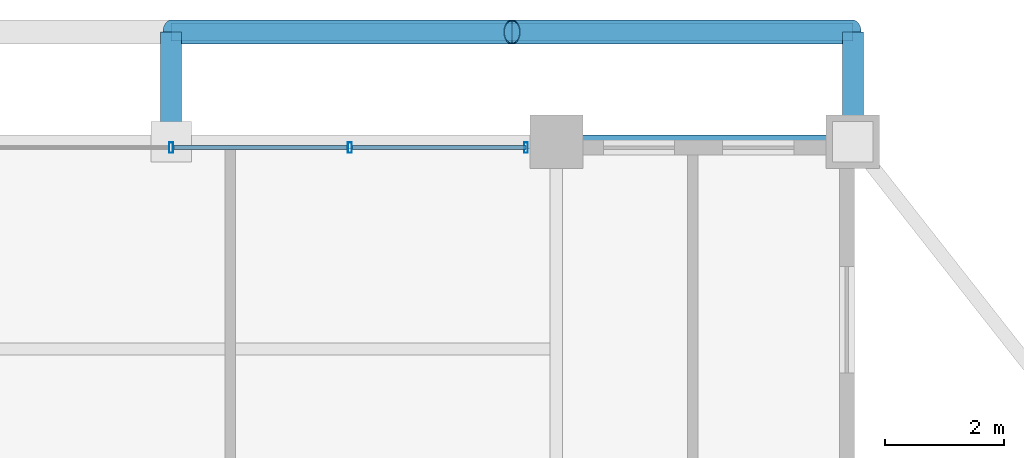
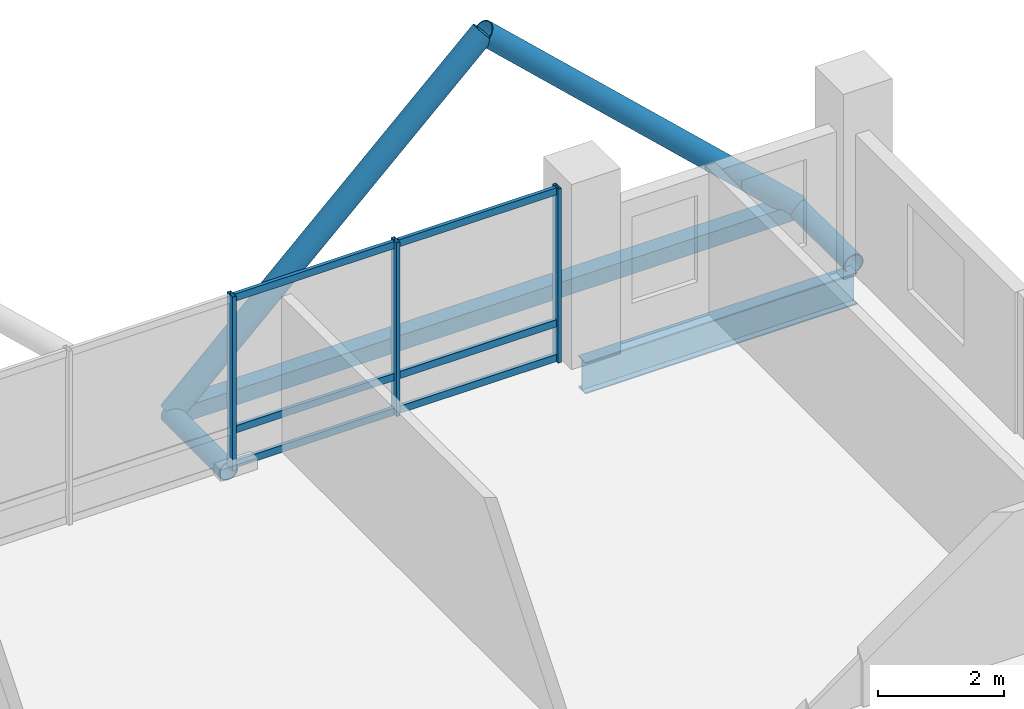
# One storey, part 17 of 24: 14 members, 1 beam, 1 element without a shape of its own.
"""IFC4 building model written with IfcOpenShell, lengths in metres."""

from ifc_helpers import new_model, si_unit, direction, frame, origin, origin_2d, place, context, subcontext, project, spatial, hollow_rectangle, hollow_circle, i_section, extrude, material, layer, layer_set, material_profile, profile_set, type_object, element, aggregate, save


model = new_model("IFC4")

# Units and contexts
model_context = context("Model", 3, precision=1e-05, world=origin(), true_north=direction((0.0, 1.0)))
body_context = subcontext(model_context, "Body", "Model", "MODEL_VIEW")
ifc_project = project(units=[si_unit("LENGTHUNIT", "METRE"), si_unit("AREAUNIT", "SQUARE_METRE"), si_unit("VOLUMEUNIT", "CUBIC_METRE"), si_unit("PLANEANGLEUNIT", "RADIAN"), si_unit("MASSUNIT", "GRAM", prefix="KILO")], contexts=[model_context])

# Site, building, storey
site_placement = place(None, origin())
site = spatial("IfcSite", under=ifc_project, at=site_placement, CompositionType="ELEMENT")
building_placement = place(site_placement, origin())
building = spatial("IfcBuilding", under=site, at=building_placement, Name="Barlavira Tower and Art Museum", CompositionType="ELEMENT")
storey_placement = place(building_placement, frame((0.0, 0.0, 272.699951171875)))
storey = spatial("IfcBuildingStorey", under=building, at=storey_placement, Name="L71", CompositionType="ELEMENT", Elevation=272.699951171875)

# Curtain wall, members
ifc_material_1 = material(Name="Low-iron coastal laminated glass", Category="glass")
ifc_layer = layer(ifc_material_1, 0.2099609375, Name="Low-iron coastal laminated glass")
ifc_layer_set = layer_set([ifc_layer], Name="Low-iron coastal laminated glass")
curtain_wall_type = type_object("IfcCurtainWallType", Name="Pale-Metal Unitised Curtain Wall Zone 4", PredefinedType="NOTDEFINED", material=ifc_layer_set)
curtain_wall_placement = place(storey_placement, origin())
curtain_wall = element("IfcCurtainWall", 1, at=curtain_wall_placement, inside=storey, type_object=curtain_wall_type, Name="L71 Curtain Wall CW4-L71-N-B2", PredefinedType="NOTDEFINED")
ifc_material_2 = material(Name="Pale anodised aluminium", Category="aluminium")
ifc_material_profile_1 = material_profile(ifc_material_2, hollow_rectangle(XDim=0.06494140625, YDim=0.179931640625, WallThickness=0.00390625, at=origin_2d()), Name="ALU-MULL 65x180x4")
ifc_profile_set_1 = profile_set([ifc_material_profile_1], Name="Pale anodised aluminium")
member_type_1 = type_object("IfcMemberType", Name="Curtain Wall Pale-Metal Mullion 65x180", PredefinedType="MULLION", material=ifc_profile_set_1)
member_1_placement = place(storey_placement, frame((5.985107421875, 19.89990234375, 0.0), z_axis=(0.0, 0.0, 1.0), x_axis=(-1.0, 0.0, 0.0)))
member_1 = element("IfcMember", 2, at=member_1_placement, type_object=member_type_1, Name="CW4-L71-N-B2 Mullion 0", PredefinedType="MULLION", context=body_context, shape_type="SweptSolid", body=[
    extrude(hollow_rectangle(XDim=0.06494140625, YDim=0.179931640625, WallThickness=0.00390625, at=origin_2d()), origin(), (0.0, 0.0, 1.0), 3.380126953125),
])
member_2_placement = place(storey_placement, frame((3.014892578125, 19.89990234375, 0.0), z_axis=(0.0, 0.0, 1.0), x_axis=(-1.0, 0.0, 0.0)))
member_2 = element("IfcMember", 3, at=member_2_placement, type_object=member_type_1, Name="CW4-L71-N-B2 Mullion 1", PredefinedType="MULLION", context=body_context, shape_type="SweptSolid", body=[
    extrude(hollow_rectangle(XDim=0.06494140625, YDim=0.179931640625, WallThickness=0.00390625, at=origin_2d()), origin(), (0.0, 0.0, 1.0), 3.380126953125),
])
member_3_placement = place(storey_placement, frame((0.0, 19.89990234375, 0.0), z_axis=(0.0, 0.0, 1.0), x_axis=(-1.0, 0.0, 0.0)))
member_3 = element("IfcMember", 4, at=member_3_placement, type_object=member_type_1, Name="CW4-L71-N-B2 Mullion 2", PredefinedType="MULLION", context=body_context, shape_type="SweptSolid", body=[
    extrude(hollow_rectangle(XDim=0.06494140625, YDim=0.179931640625, WallThickness=0.00390625, at=origin_2d()), origin(), (0.0, 0.0, 1.0), 3.380126953125),
])
ifc_material_profile_2 = material_profile(ifc_material_2, hollow_rectangle(XDim=0.06494140625, YDim=0.139892578125, WallThickness=0.00390625, at=origin_2d()), Name="ALU-TRAN 65x140x4")
ifc_profile_set_2 = profile_set([ifc_material_profile_2], Name="Pale anodised aluminium")
member_type_2 = type_object("IfcMemberType", Name="Curtain Wall Pale-Metal Transom 65x140", PredefinedType="USERDEFINED", material=ifc_profile_set_2)
member_4_placement = place(storey_placement, frame((5.985107421875, 19.89990234375, 0.070068359375), z_axis=(-1.0, 0.0, 0.0), x_axis=(0.0, -1.0, 0.0)))
member_4 = element("IfcMember", 5, at=member_4_placement, type_object=member_type_2, Name="CW4-L71-N-B2 Transom 0.1", ObjectType="TRANSOM", PredefinedType="USERDEFINED", context=body_context, shape_type="SweptSolid", body=[
    extrude(hollow_rectangle(XDim=0.06494140625, YDim=0.139892578125, WallThickness=0.00390625, at=origin_2d()), origin(), (0.0, 0.0, 1.0), 2.925048828125),
])
member_5_placement = place(storey_placement, frame((5.985107421875, 19.89990234375, 0.744140625), z_axis=(-1.0, 0.0, 0.0), x_axis=(0.0, -1.0, 0.0)))
member_5 = element("IfcMember", 6, at=member_5_placement, type_object=member_type_2, Name="CW4-L71-N-B2 Transom 0.2", ObjectType="TRANSOM", PredefinedType="USERDEFINED", context=body_context, shape_type="SweptSolid", body=[
    extrude(hollow_rectangle(XDim=0.06494140625, YDim=0.139892578125, WallThickness=0.00390625, at=origin_2d()), origin(), (0.0, 0.0, 1.0), 2.925048828125),
])
member_6_placement = place(storey_placement, frame((5.985107421875, 19.89990234375, 3.31005859375), z_axis=(-1.0, 0.0, 0.0), x_axis=(0.0, -1.0, 0.0)))
member_6 = element("IfcMember", 7, at=member_6_placement, type_object=member_type_2, Name="CW4-L71-N-B2 Transom 0.3", ObjectType="TRANSOM", PredefinedType="USERDEFINED", context=body_context, shape_type="SweptSolid", body=[
    extrude(hollow_rectangle(XDim=0.06494140625, YDim=0.139892578125, WallThickness=0.00390625, at=origin_2d()), origin(), (0.0, 0.0, 1.0), 2.925048828125),
])
member_7_placement = place(storey_placement, frame((2.969970703125, 19.89990234375, 0.070068359375), z_axis=(-1.0, 0.0, 0.0), x_axis=(0.0, -1.0, 0.0)))
member_7 = element("IfcMember", 8, at=member_7_placement, type_object=member_type_2, Name="CW4-L71-N-B2 Transom 1.1", ObjectType="TRANSOM", PredefinedType="USERDEFINED", context=body_context, shape_type="SweptSolid", body=[
    extrude(hollow_rectangle(XDim=0.06494140625, YDim=0.139892578125, WallThickness=0.00390625, at=origin_2d()), origin(), (0.0, 0.0, 1.0), 2.925048828125),
])
member_8_placement = place(storey_placement, frame((2.969970703125, 19.89990234375, 0.744140625), z_axis=(-1.0, 0.0, 0.0), x_axis=(0.0, -1.0, 0.0)))
member_8 = element("IfcMember", 9, at=member_8_placement, type_object=member_type_2, Name="CW4-L71-N-B2 Transom 1.2", ObjectType="TRANSOM", PredefinedType="USERDEFINED", context=body_context, shape_type="SweptSolid", body=[
    extrude(hollow_rectangle(XDim=0.06494140625, YDim=0.139892578125, WallThickness=0.00390625, at=origin_2d()), origin(), (0.0, 0.0, 1.0), 2.925048828125),
])
member_9_placement = place(storey_placement, frame((2.969970703125, 19.89990234375, 3.31005859375), z_axis=(-1.0, 0.0, 0.0), x_axis=(0.0, -1.0, 0.0)))
member_9 = element("IfcMember", 10, at=member_9_placement, type_object=member_type_2, Name="CW4-L71-N-B2 Transom 1.3", ObjectType="TRANSOM", PredefinedType="USERDEFINED", context=body_context, shape_type="SweptSolid", body=[
    extrude(hollow_rectangle(XDim=0.06494140625, YDim=0.139892578125, WallThickness=0.00390625, at=origin_2d()), origin(), (0.0, 0.0, 1.0), 2.925048828125),
])
aggregate(curtain_wall, [member_1, member_2, member_3, member_4, member_5, member_6, member_7, member_8, member_9])

# Members
ifc_material_3 = material(Name="Steel S355", Category="steel")
ifc_material_profile_3 = material_profile(ifc_material_3, hollow_circle(Radius=0.203125, WallThickness=0.01611328125, at=origin_2d()), Name="CHS 406.4x16.0")
ifc_profile_set_3 = profile_set([ifc_material_profile_3], Name="Steel S355")
member_type_3 = type_object("IfcMemberType", Name="Pale-Metal Exoskeleton Diagrid Tube CHS 406x16 Steel S355", PredefinedType="BRACE", material=ifc_profile_set_3)
for number, where, z_axis, x_axis, name in (
    (11, (0.0, 21.85009765625, -0.119873046875), (0.728950095515, 0.0, 0.684566839869), (0.0, 1.0, 0.0), "L71 Exoskeleton Diagrid Tube N"),
    (12, (11.5, 21.85009765625, -0.119873046875), (-0.728950095515, 0.0, 0.684566839869), (0.0, -1.0, 0.0), "L71 Exoskeleton Diagrid Tube N"),
):
    element("IfcMember", number, at=place(storey_placement, frame(where, z_axis=z_axis, x_axis=x_axis)), inside=storey, type_object=member_type_3, Name=name, PredefinedType="BRACE", context=body_context, shape_type="SweptSolid", body=[
        extrude(hollow_circle(Radius=0.203125, WallThickness=0.01611328125, at=origin_2d()), origin(), (0.0, 0.0, 1.0), 7.887939453125),
    ])
ifc_material_profile_4 = material_profile(ifc_material_3, hollow_circle(Radius=0.177734375, WallThickness=0.01611328125, at=origin_2d()), Name="CHS 355.6x16.0")
ifc_profile_set_4 = profile_set([ifc_material_profile_4], Name="Steel S355")
member_type_4 = type_object("IfcMemberType", Name="Pale-Metal Exoskeleton Tie Strut CHS 356x16 Steel S355", PredefinedType="STRUT", material=ifc_profile_set_4)
for number, where, z_axis, x_axis, name in (
    (13, (0.0, 21.85009765625, -0.119873046875), (0.0, -1.0, 0.0), (1.0, 0.0, 0.0), "L71 Exoskeleton Tie Strut N2"),
    (14, (11.5, 21.85009765625, -0.119873046875), (0.0, -1.0, 0.0), (1.0, 0.0, 0.0), "L71 Exoskeleton Tie Strut N3"),
):
    element("IfcMember", number, at=place(storey_placement, frame(where, z_axis=z_axis, x_axis=x_axis)), inside=storey, type_object=member_type_4, Name=name, PredefinedType="STRUT", context=body_context, shape_type="SweptSolid", body=[
        extrude(hollow_circle(Radius=0.177734375, WallThickness=0.01611328125, at=origin_2d()), origin(), (0.0, 0.0, 1.0), 1.85009765625),
    ])
ifc_material_profile_5 = material_profile(ifc_material_3, hollow_rectangle(XDim=0.300048828125, YDim=0.300048828125, WallThickness=0.01611328125, at=origin_2d()), Name="SHS 300x300x16.0")
ifc_profile_set_5 = profile_set([ifc_material_profile_5], Name="Steel S355")
member_type_5 = type_object("IfcMemberType", Name="Pale-Metal Upper Ring Strut SHS 300x300x16 Steel S355", PredefinedType="STRUT", material=ifc_profile_set_5)
member_10_placement = place(storey_placement, frame((0.0, 21.85009765625, -0.119873046875), z_axis=(1.0, 0.0, 0.0), x_axis=(0.0, 1.0, 0.0)))
element("IfcMember", 15, at=member_10_placement, inside=storey, type_object=member_type_5, Name="L71 Exoskeleton Ring Strut N", PredefinedType="STRUT", context=body_context, shape_type="SweptSolid", body=[
    extrude(hollow_rectangle(XDim=0.300048828125, YDim=0.300048828125, WallThickness=0.01611328125, at=origin_2d()), origin(), (0.0, 0.0, 1.0), 11.5),
])

# Beam
ifc_material_profile_6 = material_profile(ifc_material_3, i_section(OverallWidth=0.22998046875, OverallDepth=0.616943359375, WebThickness=0.01318359375, FlangeThickness=0.022216796875, at=origin_2d()), Name="W610x140.0")
ifc_profile_set_6 = profile_set([ifc_material_profile_6], Name="Steel S355")
beam_type = type_object("IfcBeamType", Name="Upper Shaft Spandrel Edge Beam W610x140 Steel S355", PredefinedType="SPANDREL", material=ifc_profile_set_6)
beam_placement = place(storey_placement, frame((6.5, 20.0, -0.528564453125), z_axis=(1.0, 0.0, 0.0), x_axis=(0.0, 1.0, 0.0)))
element("IfcBeam", 16, at=beam_placement, inside=storey, type_object=beam_type, Name="L71 Spandrel 9", PredefinedType="SPANDREL", context=body_context, shape_type="SweptSolid", body=[
    extrude(i_section(OverallWidth=0.22998046875, OverallDepth=0.616943359375, WebThickness=0.01318359375, FlangeThickness=0.022216796875, at=origin_2d()), origin(), (0.0, 0.0, 1.0), 5.0),
])

save(model, "model.ifc")
